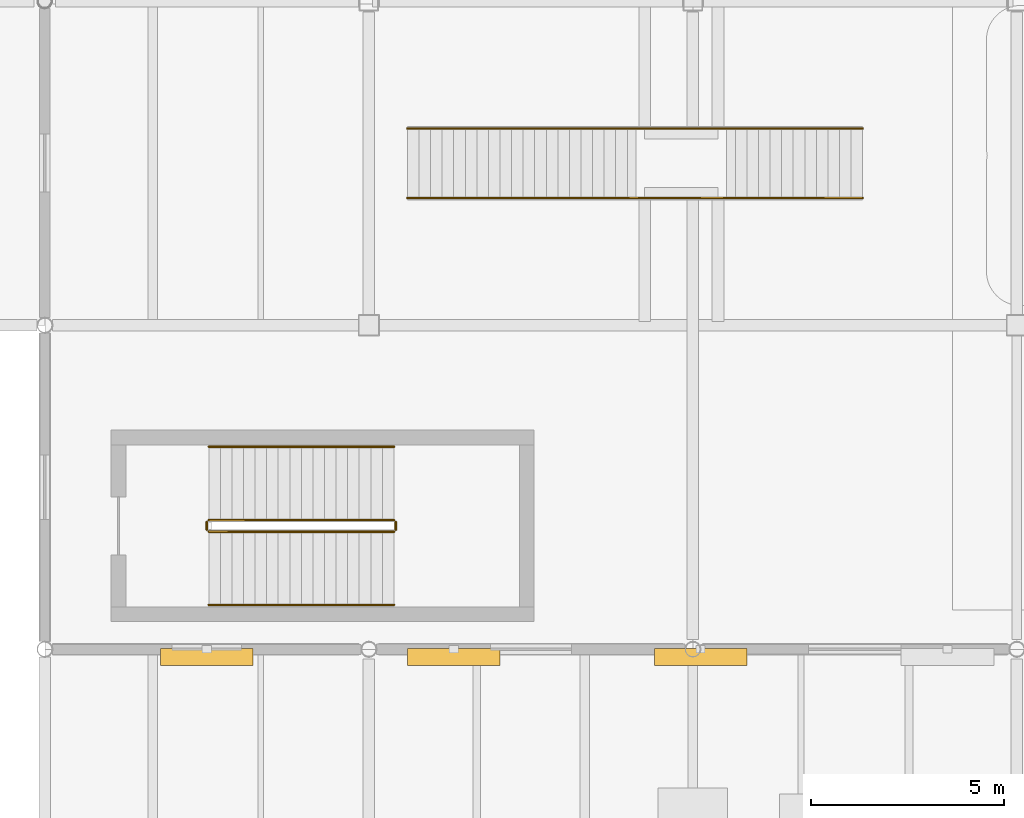
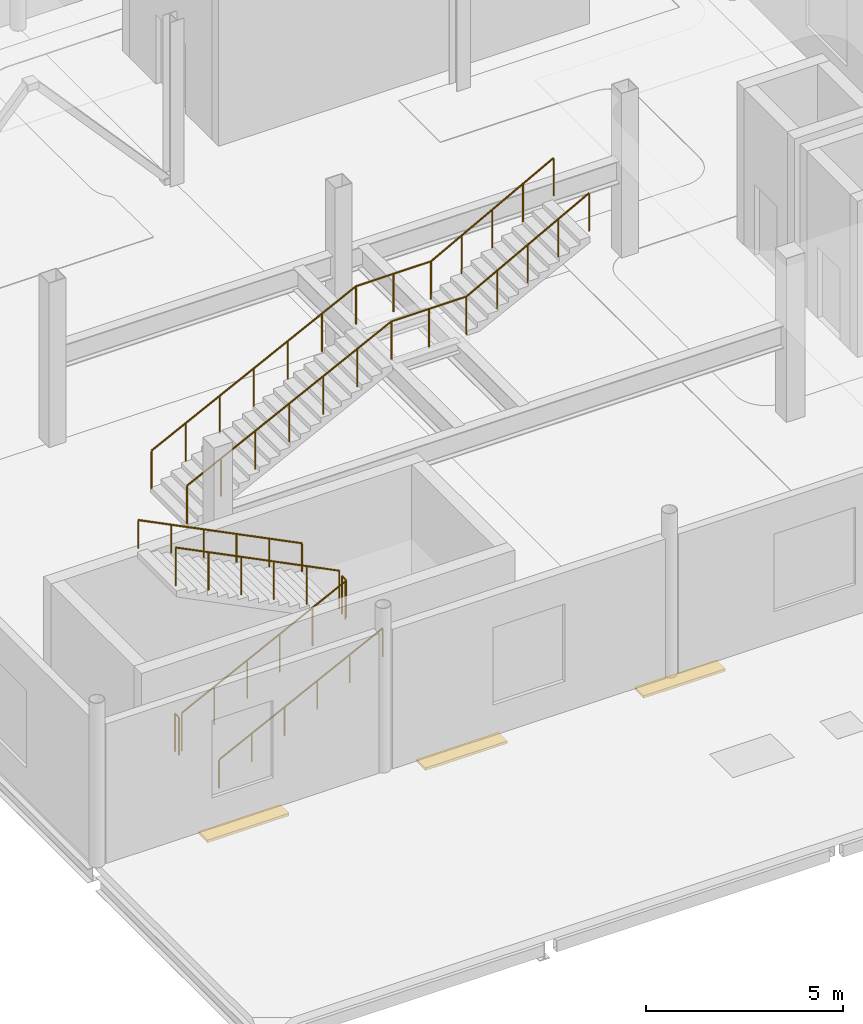
# One storey, part 90 of 103: 8 railings, 3 shading devices.
"""IFC4 building model written with IfcOpenShell, lengths in metres."""

from ifc_helpers import new_model, si_unit, direction, frame, origin, origin_2d, place, context, subcontext, project, spatial, rectangle, circle, extrude, material, type_object, element, save


model = new_model("IFC4")

# Units and contexts
model_context = context("Model", 3, precision=1e-05, world=origin(), true_north=direction((0.0, 1.0)))
body_context = subcontext(model_context, "Body", "Model", "MODEL_VIEW")
ifc_project = project(units=[si_unit("LENGTHUNIT", "METRE"), si_unit("AREAUNIT", "SQUARE_METRE"), si_unit("VOLUMEUNIT", "CUBIC_METRE"), si_unit("PLANEANGLEUNIT", "RADIAN"), si_unit("MASSUNIT", "GRAM", prefix="KILO"), si_unit("THERMODYNAMICTEMPERATUREUNIT", "KELVIN")], contexts=[model_context])

# Site, building, storey
site_placement = place(None, origin())
site = spatial("IfcSite", under=ifc_project, at=site_placement, CompositionType="ELEMENT")
building_placement = place(site_placement, origin())
building = spatial("IfcBuilding", under=site, at=building_placement, Name="Lustrewick Department Store", CompositionType="ELEMENT")
storey_placement = place(building_placement, frame((0.0, 0.0, 16.5)))
storey = spatial("IfcBuildingStorey", under=building, at=storey_placement, Name="L04", CompositionType="ELEMENT", Elevation=16.5)

# Railings
ifc_material_1 = material(Name="Laminated safety glass and bronze atrium balustrade", Category="glass")
railing_type_1 = type_object("IfcRailingType", Name="RL-BAL", PredefinedType="BALUSTRADE", material=ifc_material_1)
railing_1_placement = place(storey_placement, frame((127.0, 28.5, 0.14990234375)))
element("IfcRailing", 1, at=railing_1_placement, inside=storey, type_object=railing_type_1, Name="L04 Feature Stair AST04 Balustrade G1", PredefinedType="BALUSTRADE", context=body_context, shape_type="SweptSolid", body=[
    extrude(circle(Radius=0.02392578125, at=origin_2d()), frame((0.0, 0.0, 1.17578125), z_axis=(0.894427191, 0.0, 0.4472135955), x_axis=(0.0, 1.0, 0.0)), (0.0, 0.0, 1.0), 6.708251953125),
    extrude(circle(Radius=0.02392578125, at=origin_2d()), frame((6.0, 0.0, 4.17578125), z_axis=(1.0, 0.0, 0.0), x_axis=(0.0, 1.0, 0.0)), (0.0, 0.0, 1.0), 2.199951171875),
    extrude(circle(Radius=0.02392578125, at=origin_2d()), frame((8.199951171875, 0.0, 4.17578125), z_axis=(0.879277399237, 0.0, 0.476310041035), x_axis=(0.0, 1.0, 0.0)), (0.0, 0.0, 1.0), 4.094482421875),
    extrude(circle(Radius=0.02099609375, at=origin_2d()), origin(), (0.0, 0.0, 1.0), 1.15185546875),
    extrude(circle(Radius=0.02099609375, at=origin_2d()), frame((1.0, 0.0, 0.5)), (0.0, 0.0, 1.0), 1.15185546875),
    extrude(circle(Radius=0.02099609375, at=origin_2d()), frame((2.0, 0.0, 1.0)), (0.0, 0.0, 1.0), 1.15185546875),
    extrude(circle(Radius=0.02099609375, at=origin_2d()), frame((3.0, 0.0, 1.5)), (0.0, 0.0, 1.0), 1.15185546875),
    extrude(circle(Radius=0.02099609375, at=origin_2d()), frame((4.0, 0.0, 2.0)), (0.0, 0.0, 1.0), 1.15185546875),
    extrude(circle(Radius=0.02099609375, at=origin_2d()), frame((5.0, 0.0, 2.5)), (0.0, 0.0, 1.0), 1.15185546875),
    extrude(circle(Radius=0.02099609375, at=origin_2d()), frame((6.0, 0.0, 3.0)), (0.0, 0.0, 1.0), 1.15185546875),
    extrude(circle(Radius=0.02099609375, at=origin_2d()), frame((7.10009765625, 0.0, 3.0)), (0.0, 0.0, 1.0), 1.15185546875),
    extrude(circle(Radius=0.02099609375, at=origin_2d()), frame((8.199951171875, 0.0, 3.0)), (0.0, 0.0, 1.0), 1.15185546875),
    extrude(circle(Radius=0.02099609375, at=origin_2d()), frame((9.10009765625, 0.0, 3.487548828125)), (0.0, 0.0, 1.0), 1.15185546875),
    extrude(circle(Radius=0.02099609375, at=origin_2d()), frame((10.0, 0.0, 3.97509765625)), (0.0, 0.0, 1.0), 1.15185546875),
    extrude(circle(Radius=0.02099609375, at=origin_2d()), frame((10.89990234375, 0.0, 4.462646484375)), (0.0, 0.0, 1.0), 1.15185546875),
    extrude(circle(Radius=0.02099609375, at=origin_2d()), frame((11.800048828125, 0.0, 4.9501953125)), (0.0, 0.0, 1.0), 1.15185546875),
])
railing_2_placement = place(storey_placement, frame((127.0, 30.300048828125, 0.14990234375)))
element("IfcRailing", 2, at=railing_2_placement, inside=storey, type_object=railing_type_1, Name="L04 Feature Stair AST04 Balustrade G2", PredefinedType="BALUSTRADE", context=body_context, shape_type="SweptSolid", body=[
    extrude(circle(Radius=0.02392578125, at=origin_2d()), frame((0.0, 0.0, 1.17578125), z_axis=(0.894427191, 0.0, 0.4472135955), x_axis=(0.0, 1.0, 0.0)), (0.0, 0.0, 1.0), 6.708251953125),
    extrude(circle(Radius=0.02392578125, at=origin_2d()), frame((6.0, 0.0, 4.17578125), z_axis=(1.0, 0.0, 0.0), x_axis=(0.0, 1.0, 0.0)), (0.0, 0.0, 1.0), 2.199951171875),
    extrude(circle(Radius=0.02392578125, at=origin_2d()), frame((8.199951171875, 0.0, 4.17578125), z_axis=(0.879277399237, 0.0, 0.476310041035), x_axis=(0.0, 1.0, 0.0)), (0.0, 0.0, 1.0), 4.094482421875),
    extrude(circle(Radius=0.02099609375, at=origin_2d()), origin(), (0.0, 0.0, 1.0), 1.15185546875),
    extrude(circle(Radius=0.02099609375, at=origin_2d()), frame((1.0, 0.0, 0.5)), (0.0, 0.0, 1.0), 1.15185546875),
    extrude(circle(Radius=0.02099609375, at=origin_2d()), frame((2.0, 0.0, 1.0)), (0.0, 0.0, 1.0), 1.15185546875),
    extrude(circle(Radius=0.02099609375, at=origin_2d()), frame((3.0, 0.0, 1.5)), (0.0, 0.0, 1.0), 1.15185546875),
    extrude(circle(Radius=0.02099609375, at=origin_2d()), frame((4.0, 0.0, 2.0)), (0.0, 0.0, 1.0), 1.15185546875),
    extrude(circle(Radius=0.02099609375, at=origin_2d()), frame((5.0, 0.0, 2.5)), (0.0, 0.0, 1.0), 1.15185546875),
    extrude(circle(Radius=0.02099609375, at=origin_2d()), frame((6.0, 0.0, 3.0)), (0.0, 0.0, 1.0), 1.15185546875),
    extrude(circle(Radius=0.02099609375, at=origin_2d()), frame((7.10009765625, 0.0, 3.0)), (0.0, 0.0, 1.0), 1.15185546875),
    extrude(circle(Radius=0.02099609375, at=origin_2d()), frame((8.199951171875, 0.0, 3.0)), (0.0, 0.0, 1.0), 1.15185546875),
    extrude(circle(Radius=0.02099609375, at=origin_2d()), frame((9.10009765625, 0.0, 3.487548828125)), (0.0, 0.0, 1.0), 1.15185546875),
    extrude(circle(Radius=0.02099609375, at=origin_2d()), frame((10.0, 0.0, 3.97509765625)), (0.0, 0.0, 1.0), 1.15185546875),
    extrude(circle(Radius=0.02099609375, at=origin_2d()), frame((10.89990234375, 0.0, 4.462646484375)), (0.0, 0.0, 1.0), 1.15185546875),
    extrude(circle(Radius=0.02099609375, at=origin_2d()), frame((11.800048828125, 0.0, 4.9501953125)), (0.0, 0.0, 1.0), 1.15185546875),
])
ifc_material_2 = material(Name="Painted tubular steel stairwell guardrail", Category="steel")
railing_type_2 = type_object("IfcRailingType", Name="RL-STG", PredefinedType="GUARDRAIL", material=ifc_material_2)
railing_3_placement = place(storey_placement, frame((121.85009765625, 19.85009765625, 0.14990234375)))
element("IfcRailing", 3, at=railing_3_placement, inside=storey, type_object=railing_type_2, Name="L04 ST07 Stair Guard 1", PredefinedType="GUARDRAIL", context=body_context, shape_type="SweptSolid", body=[
    extrude(circle(Radius=0.02392578125, at=origin_2d()), frame((0.0, 0.0, 1.17578125), z_axis=(0.894408992721, 0.0, 0.447249990206), x_axis=(0.0, 1.0, 0.0)), (0.0, 0.0, 1.0), 5.366455078125),
    extrude(circle(Radius=0.02099609375, at=origin_2d()), origin(), (0.0, 0.0, 1.0), 1.15185546875),
    extrude(circle(Radius=0.02099609375, at=origin_2d()), frame((0.9599609375, 0.0, 0.47998046875)), (0.0, 0.0, 1.0), 1.15185546875),
    extrude(circle(Radius=0.02099609375, at=origin_2d()), frame((1.919921875, 0.0, 0.9599609375)), (0.0, 0.0, 1.0), 1.15185546875),
    extrude(circle(Radius=0.02099609375, at=origin_2d()), frame((2.8798828125, 0.0, 1.440185546875)), (0.0, 0.0, 1.0), 1.15185546875),
    extrude(circle(Radius=0.02099609375, at=origin_2d()), frame((3.83984375, 0.0, 1.920166015625)), (0.0, 0.0, 1.0), 1.15185546875),
    extrude(circle(Radius=0.02099609375, at=origin_2d()), frame((4.7998046875, 0.0, 2.400146484375)), (0.0, 0.0, 1.0), 1.15185546875),
])
railing_4_placement = place(storey_placement, frame((126.699951171875, 19.89990234375, 2.550048828125)))
element("IfcRailing", 4, at=railing_4_placement, inside=storey, type_object=railing_type_2, Name="L04 ST07 Stair Guard 2", PredefinedType="GUARDRAIL", context=body_context, shape_type="SweptSolid", body=[
    extrude(circle(Radius=0.02392578125, at=origin_2d()), frame((0.0, 0.0, 1.17578125), z_axis=(0.0, 1.0, 0.0), x_axis=(-1.0, 0.0, 0.0)), (0.0, 0.0, 1.0), 0.2001953125),
    extrude(circle(Radius=0.02099609375, at=origin_2d()), origin(), (0.0, 0.0, 1.0), 1.15185546875),
    extrude(circle(Radius=0.02099609375, at=origin_2d()), frame((0.0, 0.2001953125, 0.0)), (0.0, 0.0, 1.0), 1.15185546875),
])
railing_5_placement = place(storey_placement, frame((126.64990234375, 20.14990234375, 2.699951171875)))
element("IfcRailing", 5, at=railing_5_placement, inside=storey, type_object=railing_type_2, Name="L04 ST07 Stair Guard 3", PredefinedType="GUARDRAIL", context=body_context, shape_type="SweptSolid", body=[
    extrude(circle(Radius=0.02392578125, at=origin_2d()), frame((0.0, 0.0, 1.17578125), z_axis=(-0.894408992721, 0.0, 0.447249990206), x_axis=(0.0, -1.0, 0.0)), (0.0, 0.0, 1.0), 5.366455078125),
    extrude(circle(Radius=0.02099609375, at=origin_2d()), origin(), (0.0, 0.0, 1.0), 1.15185546875),
    extrude(circle(Radius=0.02099609375, at=origin_2d()), frame((-0.9599609375, 0.0, 0.47998046875)), (0.0, 0.0, 1.0), 1.15185546875),
    extrude(circle(Radius=0.02099609375, at=origin_2d()), frame((-1.919921875, 0.0, 0.9599609375)), (0.0, 0.0, 1.0), 1.15185546875),
    extrude(circle(Radius=0.02099609375, at=origin_2d()), frame((-2.8798828125, 0.0, 1.440185546875)), (0.0, 0.0, 1.0), 1.15185546875),
    extrude(circle(Radius=0.02099609375, at=origin_2d()), frame((-3.83984375, 0.0, 1.920166015625)), (0.0, 0.0, 1.0), 1.15185546875),
    extrude(circle(Radius=0.02099609375, at=origin_2d()), frame((-4.7998046875, 0.0, 2.400146484375)), (0.0, 0.0, 1.0), 1.15185546875),
])
railing_6_placement = place(storey_placement, frame((121.800048828125, 19.89990234375, 0.0)))
element("IfcRailing", 6, at=railing_6_placement, inside=storey, type_object=railing_type_2, Name="L04 ST07 Stair Guard 4", PredefinedType="GUARDRAIL", context=body_context, shape_type="SweptSolid", body=[
    extrude(circle(Radius=0.02392578125, at=origin_2d()), frame((0.0, 0.0, 1.17578125), z_axis=(0.0, 1.0, 0.0), x_axis=(-1.0, 0.0, 0.0)), (0.0, 0.0, 1.0), 0.2001953125),
    extrude(circle(Radius=0.02099609375, at=origin_2d()), origin(), (0.0, 0.0, 1.0), 1.15185546875),
    extrude(circle(Radius=0.02099609375, at=origin_2d()), frame((0.0, 0.2001953125, 0.0)), (0.0, 0.0, 1.0), 1.15185546875),
])
ifc_material_3 = material(Name="Brushed stainless steel wall handrail", Category="steel")
railing_type_3 = type_object("IfcRailingType", Name="RL-STH", PredefinedType="HANDRAIL", material=ifc_material_3)
railing_7_placement = place(storey_placement, frame((121.85009765625, 17.949951171875, 0.14990234375)))
element("IfcRailing", 7, at=railing_7_placement, inside=storey, type_object=railing_type_3, Name="L04 ST07 Stair Handrail 1", PredefinedType="HANDRAIL", context=body_context, shape_type="SweptSolid", body=[
    extrude(circle(Radius=0.02392578125, at=origin_2d()), frame((0.0, 0.0, 0.8759765625), z_axis=(0.894408992721, 0.0, 0.447249990206), x_axis=(0.0, 1.0, 0.0)), (0.0, 0.0, 1.0), 5.366455078125),
    extrude(circle(Radius=0.02099609375, at=origin_2d()), origin(), (0.0, 0.0, 1.0), 0.851806640625),
    extrude(circle(Radius=0.02099609375, at=origin_2d()), frame((0.9599609375, 0.0, 0.47998046875)), (0.0, 0.0, 1.0), 0.851806640625),
    extrude(circle(Radius=0.02099609375, at=origin_2d()), frame((1.919921875, 0.0, 0.9599609375)), (0.0, 0.0, 1.0), 0.851806640625),
    extrude(circle(Radius=0.02099609375, at=origin_2d()), frame((2.8798828125, 0.0, 1.440185546875)), (0.0, 0.0, 1.0), 0.851806640625),
    extrude(circle(Radius=0.02099609375, at=origin_2d()), frame((3.83984375, 0.0, 1.920166015625)), (0.0, 0.0, 1.0), 0.851806640625),
    extrude(circle(Radius=0.02099609375, at=origin_2d()), frame((4.7998046875, 0.0, 2.400146484375)), (0.0, 0.0, 1.0), 0.851806640625),
])
railing_8_placement = place(storey_placement, frame((126.64990234375, 22.050048828125, 2.699951171875)))
element("IfcRailing", 8, at=railing_8_placement, inside=storey, type_object=railing_type_3, Name="L04 ST07 Stair Handrail 2", PredefinedType="HANDRAIL", context=body_context, shape_type="SweptSolid", body=[
    extrude(circle(Radius=0.02392578125, at=origin_2d()), frame((0.0, 0.0, 0.8759765625), z_axis=(-0.894408992721, 0.0, 0.447249990206), x_axis=(0.0, -1.0, 0.0)), (0.0, 0.0, 1.0), 5.366455078125),
    extrude(circle(Radius=0.02099609375, at=origin_2d()), origin(), (0.0, 0.0, 1.0), 0.851806640625),
    extrude(circle(Radius=0.02099609375, at=origin_2d()), frame((-0.9599609375, 0.0, 0.47998046875)), (0.0, 0.0, 1.0), 0.851806640625),
    extrude(circle(Radius=0.02099609375, at=origin_2d()), frame((-1.919921875, 0.0, 0.9599609375)), (0.0, 0.0, 1.0), 0.851806640625),
    extrude(circle(Radius=0.02099609375, at=origin_2d()), frame((-2.8798828125, 0.0, 1.440185546875)), (0.0, 0.0, 1.0), 0.851806640625),
    extrude(circle(Radius=0.02099609375, at=origin_2d()), frame((-3.83984375, 0.0, 1.920166015625)), (0.0, 0.0, 1.0), 0.851806640625),
    extrude(circle(Radius=0.02099609375, at=origin_2d()), frame((-4.7998046875, 0.0, 2.400146484375)), (0.0, 0.0, 1.0), 0.851806640625),
])

# Shading devices
ifc_material_4 = material(Name="Perforated white powder-coated aluminium 3003-H24", Category="aluminium")
shading_device_type = type_object("IfcShadingDeviceType", Name="SHD-LOUV", PredefinedType="USERDEFINED", material=ifc_material_4)
for number, where, z_axis, x_axis, name in (
    (9, (121.800048828125, 16.60009765625, -0.16015625), (0.0, 0.0, 1.0), (1.0, 0.0, 0.0), "L04 External Sun Louvre 09"),
    (10, (128.199951171875, 16.60009765625, -0.16015625), (0.0, 0.0, 1.0), (1.0, 0.0, 0.0), "L04 External Sun Louvre 10"),
    (11, (134.60009765625, 16.60009765625, -0.16015625), (0.0, 0.0, 1.0), (1.0, 0.0, 0.0), "L04 External Sun Louvre 11"),
):
    element("IfcShadingDevice", number, at=place(storey_placement, frame(where, z_axis=z_axis, x_axis=x_axis)), inside=storey, type_object=shading_device_type, Name=name, ObjectType="LOUVRE", PredefinedType="USERDEFINED", context=body_context, shape_type="SweptSolid", body=[
        extrude(rectangle(XDim=2.39990234375, YDim=0.449951171875, at=origin_2d()), origin(), (0.0, 0.0, 1.0), 0.080078125),
    ])

save(model, "model.ifc")
